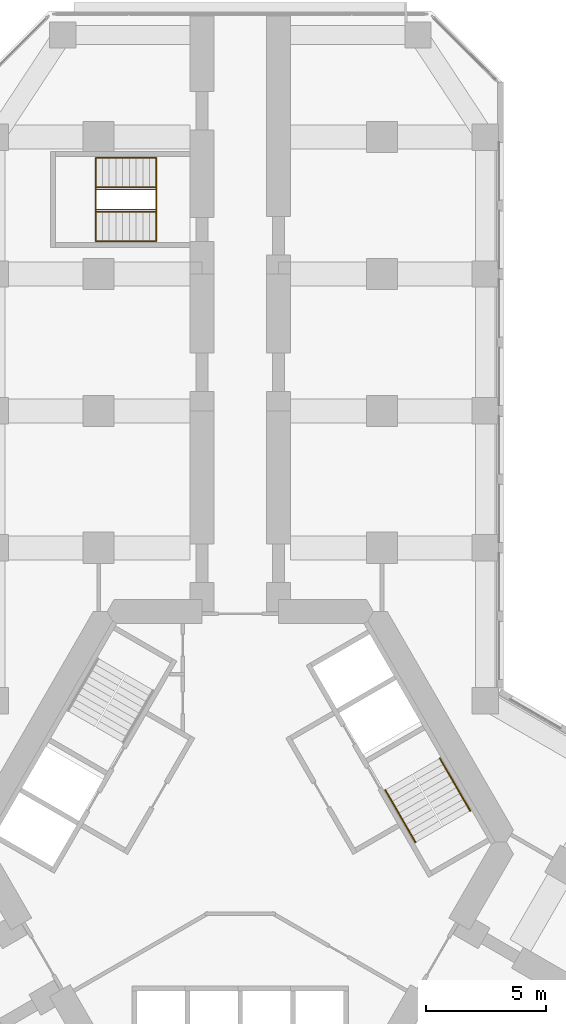
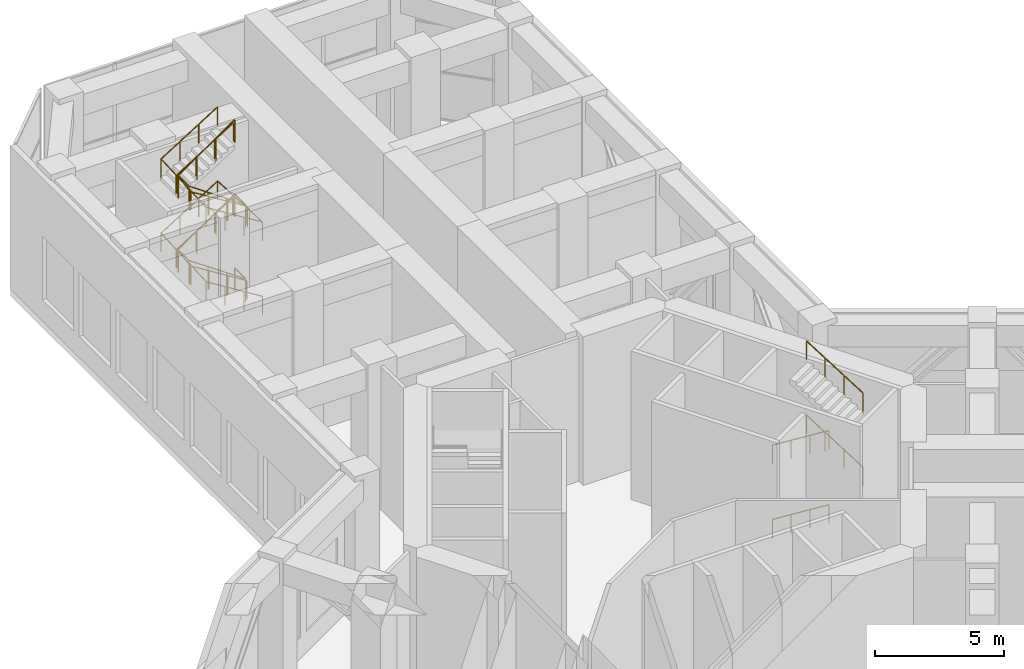
# One storey, part 17 of 17: 7 railings.
"""IFC4 building model written with IfcOpenShell, lengths in metres."""

from ifc_helpers import new_model, si_unit, direction, frame, origin, origin_2d, place, context, subcontext, project, spatial, circle, extrude, material, type_object, element, save


model = new_model("IFC4")

# Units and contexts
model_context = context("Model", 3, precision=1e-05, world=origin(), true_north=direction((0.0, 1.0)))
body_context = subcontext(model_context, "Body", "Model", "MODEL_VIEW")
ifc_project = project(units=[si_unit("LENGTHUNIT", "METRE"), si_unit("AREAUNIT", "SQUARE_METRE"), si_unit("VOLUMEUNIT", "CUBIC_METRE"), si_unit("PLANEANGLEUNIT", "RADIAN"), si_unit("MASSUNIT", "GRAM", prefix="KILO")], contexts=[model_context])

# Site, building, storey
site_placement = place(None, origin())
site = spatial("IfcSite", under=ifc_project, at=site_placement, CompositionType="ELEMENT")
building_placement = place(site_placement, origin())
building = spatial("IfcBuilding", under=site, at=building_placement, Name="Kosmar Iwan School Tower", CompositionType="ELEMENT")
storey_placement = place(building_placement, frame((0.0, 0.0, 32.39990234375)))
storey = spatial("IfcBuildingStorey", under=building, at=storey_placement, Name="L07", CompositionType="ELEMENT", Elevation=32.39990234375)

# Railings
ifc_material_1 = material(Name="Black steel", Category="steel")
railing_type_1 = type_object("IfcRailingType", Name="Stair handrail 900", PredefinedType="HANDRAIL", material=ifc_material_1)
railing_1_placement = place(storey_placement, frame((6.03466796875, 2.167724609375, 0.175048828125)))
element("IfcRailing", 1, at=railing_1_placement, inside=storey, type_object=railing_type_1, Name="Handrail ST1 flight 1", PredefinedType="HANDRAIL", context=body_context, shape_type="SweptSolid", body=[
    extrude(circle(Radius=0.02392578125, at=origin_2d()), frame((0.0, 0.0, 0.8759765625), z_axis=(0.42400668935, -0.73439174503, 0.529987822708), x_axis=(0.866022637375, 0.500004791531, 0.0)), (0.0, 0.0, 1.0), 2.9716796875),
    extrude(circle(Radius=0.02099609375, at=origin_2d()), origin(), (0.0, 0.0, 1.0), 0.851806640625),
    extrude(circle(Radius=0.02099609375, at=origin_2d()), frame((0.419921875, -0.7275390625, 0.52490234375)), (0.0, 0.0, 1.0), 0.851806640625),
    extrude(circle(Radius=0.02099609375, at=origin_2d()), frame((0.840087890625, -1.454833984375, 1.050048828125)), (0.0, 0.0, 1.0), 0.851806640625),
    extrude(circle(Radius=0.02099609375, at=origin_2d()), frame((1.260009765625, -2.182373046875, 1.574951171875)), (0.0, 0.0, 1.0), 0.851806640625),
])
railing_2_placement = place(storey_placement, frame((9.572265625, 1.30029296875, 1.925048828125)))
element("IfcRailing", 2, at=railing_2_placement, inside=storey, type_object=railing_type_1, Name="Handrail ST1 flight 2", PredefinedType="HANDRAIL", context=body_context, shape_type="SweptSolid", body=[
    extrude(circle(Radius=0.02392578125, at=origin_2d()), frame((0.0, 0.0, 0.8759765625), z_axis=(-0.42400668935, 0.73439174503, 0.529987822708), x_axis=(-0.866022637375, -0.500004791531, 0.0)), (0.0, 0.0, 1.0), 2.9716796875),
    extrude(circle(Radius=0.02099609375, at=origin_2d()), origin(), (0.0, 0.0, 1.0), 0.851806640625),
    extrude(circle(Radius=0.02099609375, at=origin_2d()), frame((-0.419921875, 0.7275390625, 0.52490234375)), (0.0, 0.0, 1.0), 0.851806640625),
    extrude(circle(Radius=0.02099609375, at=origin_2d()), frame((-0.840087890625, 1.454833984375, 1.050048828125)), (0.0, 0.0, 1.0), 0.851806640625),
    extrude(circle(Radius=0.02099609375, at=origin_2d()), frame((-1.260009765625, 2.182373046875, 1.574951171875)), (0.0, 0.0, 1.0), 0.851806640625),
])
railing_3_placement = place(storey_placement, frame((6.03466796875, 2.167724609375, 3.675048828125)))
element("IfcRailing", 3, at=railing_3_placement, inside=storey, type_object=railing_type_1, Name="Handrail ST1 flight 3", PredefinedType="HANDRAIL", context=body_context, shape_type="SweptSolid", body=[
    extrude(circle(Radius=0.02392578125, at=origin_2d()), frame((0.0, 0.0, 0.8759765625), z_axis=(0.42400668935, -0.73439174503, 0.529987822708), x_axis=(0.866022637375, 0.500004791531, 0.0)), (0.0, 0.0, 1.0), 2.9716796875),
    extrude(circle(Radius=0.02099609375, at=origin_2d()), origin(), (0.0, 0.0, 1.0), 0.851806640625),
    extrude(circle(Radius=0.02099609375, at=origin_2d()), frame((0.419921875, -0.7275390625, 0.52490234375)), (0.0, 0.0, 1.0), 0.851806640625),
    extrude(circle(Radius=0.02099609375, at=origin_2d()), frame((0.840087890625, -1.454833984375, 1.050048828125)), (0.0, 0.0, 1.0), 0.851806640625),
    extrude(circle(Radius=0.02099609375, at=origin_2d()), frame((1.260009765625, -2.182373046875, 1.574951171875)), (0.0, 0.0, 1.0), 0.851806640625),
])
railing_4_placement = place(storey_placement, frame((9.572265625, 1.30029296875, 5.425048828125)))
element("IfcRailing", 4, at=railing_4_placement, inside=storey, type_object=railing_type_1, Name="Handrail ST1 flight 4", PredefinedType="HANDRAIL", context=body_context, shape_type="SweptSolid", body=[
    extrude(circle(Radius=0.02392578125, at=origin_2d()), frame((0.0, 0.0, 0.8759765625), z_axis=(-0.42400668935, 0.73439174503, 0.529987822708), x_axis=(-0.866022637375, -0.500004791531, 0.0)), (0.0, 0.0, 1.0), 2.9716796875),
    extrude(circle(Radius=0.02099609375, at=origin_2d()), origin(), (0.0, 0.0, 1.0), 0.851806640625),
    extrude(circle(Radius=0.02099609375, at=origin_2d()), frame((-0.419921875, 0.7275390625, 0.52490234375)), (0.0, 0.0, 1.0), 0.851806640625),
    extrude(circle(Radius=0.02099609375, at=origin_2d()), frame((-0.840087890625, 1.454833984375, 1.050048828125)), (0.0, 0.0, 1.0), 0.851806640625),
    extrude(circle(Radius=0.02099609375, at=origin_2d()), frame((-1.260009765625, 2.182373046875, 1.574951171875)), (0.0, 0.0, 1.0), 0.851806640625),
])
railing_5_placement = place(storey_placement, frame((-3.5, 25.010009765625, 0.175048828125)))
element("IfcRailing", 5, at=railing_5_placement, inside=storey, type_object=railing_type_1, Name="Handrail stair WS1 L07 wall side", PredefinedType="HANDRAIL", context=body_context, shape_type="SweptSolid", body=[
    extrude(circle(Radius=0.02392578125, at=origin_2d()), frame((0.0, 0.0, 0.8759765625), z_axis=(-0.848007534815, 0.0, 0.529984170421), x_axis=(0.0, -1.0, 0.0)), (0.0, 0.0, 1.0), 2.9716796875),
    extrude(circle(Radius=0.02392578125, at=origin_2d()), frame((-2.52001953125, 0.0, 2.45068359375), z_axis=(0.0, 0.998737266788, 0.050238152118), x_axis=(-1.0, 0.0, 0.0)), (0.0, 0.0, 1.0), 3.484375),
    extrude(circle(Radius=0.02392578125, at=origin_2d()), frame((-2.52001953125, 3.47998046875, 2.6259765625), z_axis=(0.848007534815, 0.0, 0.529984170421), x_axis=(0.0, 1.0, 0.0)), (0.0, 0.0, 1.0), 2.9716796875),
    extrude(circle(Radius=0.02392578125, at=origin_2d()), frame((0.0, 3.47998046875, 4.20068359375), z_axis=(0.0, -0.998737266788, 0.050238152118), x_axis=(1.0, 0.0, 0.0)), (0.0, 0.0, 1.0), 3.484375),
    extrude(circle(Radius=0.02392578125, at=origin_2d()), frame((0.0, 0.0, 4.3759765625), z_axis=(-0.848007534815, 0.0, 0.529984170421), x_axis=(0.0, -1.0, 0.0)), (0.0, 0.0, 1.0), 2.9716796875),
    extrude(circle(Radius=0.02392578125, at=origin_2d()), frame((-2.52001953125, 0.0, 5.95068359375), z_axis=(0.0, 0.998737266788, 0.050238152118), x_axis=(-1.0, 0.0, 0.0)), (0.0, 0.0, 1.0), 3.484375),
    extrude(circle(Radius=0.02392578125, at=origin_2d()), frame((-2.52001953125, 3.47998046875, 6.1259765625), z_axis=(0.848007534815, 0.0, 0.529984170421), x_axis=(0.0, 1.0, 0.0)), (0.0, 0.0, 1.0), 2.9716796875),
    extrude(circle(Radius=0.02099609375, at=origin_2d()), origin(), (0.0, 0.0, 1.0), 0.851806640625),
    extrude(circle(Radius=0.02099609375, at=origin_2d()), frame((-0.840087890625, 0.0, 0.52490234375)), (0.0, 0.0, 1.0), 0.851806640625),
    extrude(circle(Radius=0.02099609375, at=origin_2d()), frame((-1.679931640625, 0.0, 1.050048828125)), (0.0, 0.0, 1.0), 0.851806640625),
    extrude(circle(Radius=0.02099609375, at=origin_2d()), frame((-2.52001953125, 0.0, 1.574951171875)), (0.0, 0.0, 1.0), 0.851806640625),
    extrude(circle(Radius=0.02099609375, at=origin_2d()), frame((-2.52001953125, 1.159912109375, 1.63330078125)), (0.0, 0.0, 1.0), 0.851806640625),
    extrude(circle(Radius=0.02099609375, at=origin_2d()), frame((-2.52001953125, 2.320068359375, 1.691650390625)), (0.0, 0.0, 1.0), 0.851806640625),
    extrude(circle(Radius=0.02099609375, at=origin_2d()), frame((-2.52001953125, 3.47998046875, 1.75)), (0.0, 0.0, 1.0), 0.851806640625),
    extrude(circle(Radius=0.02099609375, at=origin_2d()), frame((-1.679931640625, 3.47998046875, 2.27490234375)), (0.0, 0.0, 1.0), 0.851806640625),
    extrude(circle(Radius=0.02099609375, at=origin_2d()), frame((-0.840087890625, 3.47998046875, 2.800048828125)), (0.0, 0.0, 1.0), 0.851806640625),
    extrude(circle(Radius=0.02099609375, at=origin_2d()), frame((0.0, 3.47998046875, 3.324951171875)), (0.0, 0.0, 1.0), 0.851806640625),
    extrude(circle(Radius=0.02099609375, at=origin_2d()), frame((0.0, 2.320068359375, 3.38330078125)), (0.0, 0.0, 1.0), 0.851806640625),
    extrude(circle(Radius=0.02099609375, at=origin_2d()), frame((0.0, 1.159912109375, 3.441650390625)), (0.0, 0.0, 1.0), 0.851806640625),
    extrude(circle(Radius=0.02099609375, at=origin_2d()), frame((0.0, 0.0, 3.5)), (0.0, 0.0, 1.0), 0.851806640625),
    extrude(circle(Radius=0.02099609375, at=origin_2d()), frame((-0.840087890625, 0.0, 4.02490234375)), (0.0, 0.0, 1.0), 0.851806640625),
    extrude(circle(Radius=0.02099609375, at=origin_2d()), frame((-1.679931640625, 0.0, 4.550048828125)), (0.0, 0.0, 1.0), 0.851806640625),
    extrude(circle(Radius=0.02099609375, at=origin_2d()), frame((-2.52001953125, 0.0, 5.074951171875)), (0.0, 0.0, 1.0), 0.851806640625),
    extrude(circle(Radius=0.02099609375, at=origin_2d()), frame((-2.52001953125, 1.159912109375, 5.13330078125)), (0.0, 0.0, 1.0), 0.851806640625),
    extrude(circle(Radius=0.02099609375, at=origin_2d()), frame((-2.52001953125, 2.320068359375, 5.191650390625)), (0.0, 0.0, 1.0), 0.851806640625),
    extrude(circle(Radius=0.02099609375, at=origin_2d()), frame((-2.52001953125, 3.47998046875, 5.25)), (0.0, 0.0, 1.0), 0.851806640625),
    extrude(circle(Radius=0.02099609375, at=origin_2d()), frame((-1.679931640625, 3.47998046875, 5.77490234375)), (0.0, 0.0, 1.0), 0.851806640625),
    extrude(circle(Radius=0.02099609375, at=origin_2d()), frame((-0.840087890625, 3.47998046875, 6.300048828125)), (0.0, 0.0, 1.0), 0.851806640625),
    extrude(circle(Radius=0.02099609375, at=origin_2d()), frame((0.0, 3.47998046875, 6.824951171875)), (0.0, 0.0, 1.0), 0.851806640625),
])
railing_6_placement = place(storey_placement, frame((-3.5, 26.239990234375, 0.175048828125)))
element("IfcRailing", 6, at=railing_6_placement, inside=storey, type_object=railing_type_1, Name="Handrail stair WS1 L07 well side", PredefinedType="HANDRAIL", context=body_context, shape_type="SweptSolid", body=[
    extrude(circle(Radius=0.02392578125, at=origin_2d()), frame((0.0, 0.0, 0.8759765625), z_axis=(-0.848007534815, 0.0, 0.529984170421), x_axis=(0.0, -1.0, 0.0)), (0.0, 0.0, 1.0), 2.9716796875),
    extrude(circle(Radius=0.02392578125, at=origin_2d()), frame((-2.52001953125, 0.0, 2.45068359375), z_axis=(0.0, 0.985591932958, 0.169140597398), x_axis=(-1.0, 0.0, 0.0)), (0.0, 0.0, 1.0), 1.034912109375),
    extrude(circle(Radius=0.02392578125, at=origin_2d()), frame((-2.52001953125, 1.02001953125, 2.6259765625), z_axis=(0.848007534815, 0.0, 0.529984170421), x_axis=(0.0, 1.0, 0.0)), (0.0, 0.0, 1.0), 2.9716796875),
    extrude(circle(Radius=0.02392578125, at=origin_2d()), frame((0.0, 1.02001953125, 4.20068359375), z_axis=(0.0, -0.985591932958, 0.169140597398), x_axis=(1.0, 0.0, 0.0)), (0.0, 0.0, 1.0), 1.034912109375),
    extrude(circle(Radius=0.02392578125, at=origin_2d()), frame((0.0, 0.0, 4.3759765625), z_axis=(-0.848007534815, 0.0, 0.529984170421), x_axis=(0.0, -1.0, 0.0)), (0.0, 0.0, 1.0), 2.9716796875),
    extrude(circle(Radius=0.02392578125, at=origin_2d()), frame((-2.52001953125, 0.0, 5.95068359375), z_axis=(0.0, 0.985591932958, 0.169140597398), x_axis=(-1.0, 0.0, 0.0)), (0.0, 0.0, 1.0), 1.034912109375),
    extrude(circle(Radius=0.02392578125, at=origin_2d()), frame((-2.52001953125, 1.02001953125, 6.1259765625), z_axis=(0.848007534815, 0.0, 0.529984170421), x_axis=(0.0, 1.0, 0.0)), (0.0, 0.0, 1.0), 2.9716796875),
    extrude(circle(Radius=0.02099609375, at=origin_2d()), origin(), (0.0, 0.0, 1.0), 0.851806640625),
    extrude(circle(Radius=0.02099609375, at=origin_2d()), frame((-0.840087890625, 0.0, 0.52490234375)), (0.0, 0.0, 1.0), 0.851806640625),
    extrude(circle(Radius=0.02099609375, at=origin_2d()), frame((-1.679931640625, 0.0, 1.050048828125)), (0.0, 0.0, 1.0), 0.851806640625),
    extrude(circle(Radius=0.02099609375, at=origin_2d()), frame((-2.52001953125, 0.0, 1.574951171875)), (0.0, 0.0, 1.0), 0.851806640625),
    extrude(circle(Radius=0.02099609375, at=origin_2d()), frame((-2.52001953125, 1.02001953125, 1.75)), (0.0, 0.0, 1.0), 0.851806640625),
    extrude(circle(Radius=0.02099609375, at=origin_2d()), frame((-1.679931640625, 1.02001953125, 2.27490234375)), (0.0, 0.0, 1.0), 0.851806640625),
    extrude(circle(Radius=0.02099609375, at=origin_2d()), frame((-0.840087890625, 1.02001953125, 2.800048828125)), (0.0, 0.0, 1.0), 0.851806640625),
    extrude(circle(Radius=0.02099609375, at=origin_2d()), frame((0.0, 1.02001953125, 3.324951171875)), (0.0, 0.0, 1.0), 0.851806640625),
    extrude(circle(Radius=0.02099609375, at=origin_2d()), frame((0.0, 0.0, 3.5)), (0.0, 0.0, 1.0), 0.851806640625),
    extrude(circle(Radius=0.02099609375, at=origin_2d()), frame((-0.840087890625, 0.0, 4.02490234375)), (0.0, 0.0, 1.0), 0.851806640625),
    extrude(circle(Radius=0.02099609375, at=origin_2d()), frame((-1.679931640625, 0.0, 4.550048828125)), (0.0, 0.0, 1.0), 0.851806640625),
    extrude(circle(Radius=0.02099609375, at=origin_2d()), frame((-2.52001953125, 0.0, 5.074951171875)), (0.0, 0.0, 1.0), 0.851806640625),
    extrude(circle(Radius=0.02099609375, at=origin_2d()), frame((-2.52001953125, 1.02001953125, 5.25)), (0.0, 0.0, 1.0), 0.851806640625),
    extrude(circle(Radius=0.02099609375, at=origin_2d()), frame((-1.679931640625, 1.02001953125, 5.77490234375)), (0.0, 0.0, 1.0), 0.851806640625),
    extrude(circle(Radius=0.02099609375, at=origin_2d()), frame((-0.840087890625, 1.02001953125, 6.300048828125)), (0.0, 0.0, 1.0), 0.851806640625),
    extrude(circle(Radius=0.02099609375, at=origin_2d()), frame((0.0, 1.02001953125, 6.824951171875)), (0.0, 0.0, 1.0), 0.851806640625),
])
ifc_material_2 = material(Name="Black steel", Category="steel")
railing_type_2 = type_object("IfcRailingType", Name="Stair well guard 1100", PredefinedType="GUARDRAIL", material=ifc_material_2)
railing_7_placement = place(storey_placement, frame((-3.5, 27.169921875, 0.0)))
element("IfcRailing", 7, at=railing_7_placement, inside=storey, type_object=railing_type_2, Name="Stair WS1 L07 well guard", PredefinedType="GUARDRAIL", context=body_context, shape_type="SweptSolid", body=[
    extrude(circle(Radius=0.02392578125, at=origin_2d()), frame((0.0, 0.0, 1.076171875), z_axis=(0.0, -1.0, 0.0), x_axis=(1.0, 0.0, 0.0)), (0.0, 0.0, 1.0), 0.83984375),
    extrude(circle(Radius=0.02392578125, at=origin_2d()), frame((0.0, -0.83984375, 1.076171875), z_axis=(-0.821372036852, 0.0, 0.570392826987), x_axis=(0.0, -1.0, 0.0)), (0.0, 0.0, 1.0), 3.068115234375),
    extrude(circle(Radius=0.02392578125, at=origin_2d()), frame((-2.52001953125, -0.83984375, 2.826171875), z_axis=(0.0, 1.0, 0.0), x_axis=(-1.0, 0.0, 0.0)), (0.0, 0.0, 1.0), 0.83984375),
    extrude(circle(Radius=0.02392578125, at=origin_2d()), frame((-2.52001953125, 0.0, 2.826171875), z_axis=(0.821372036852, 0.0, 0.570392826987), x_axis=(0.0, 1.0, 0.0)), (0.0, 0.0, 1.0), 3.068115234375),
    extrude(circle(Radius=0.02392578125, at=origin_2d()), frame((0.0, 0.0, 4.576171875), z_axis=(0.0, -1.0, 0.0), x_axis=(1.0, 0.0, 0.0)), (0.0, 0.0, 1.0), 0.83984375),
    extrude(circle(Radius=0.02392578125, at=origin_2d()), frame((0.0, -0.83984375, 4.576171875), z_axis=(-0.821372036852, 0.0, 0.570392826987), x_axis=(0.0, -1.0, 0.0)), (0.0, 0.0, 1.0), 3.068115234375),
    extrude(circle(Radius=0.02392578125, at=origin_2d()), frame((-2.52001953125, -0.83984375, 6.326171875), z_axis=(0.0, 1.0, 0.0), x_axis=(-1.0, 0.0, 0.0)), (0.0, 0.0, 1.0), 0.83984375),
    extrude(circle(Radius=0.02392578125, at=origin_2d()), frame((-2.52001953125, 0.0, 6.326171875), z_axis=(0.821372036852, 0.0, 0.570392826987), x_axis=(0.0, 1.0, 0.0)), (0.0, 0.0, 1.0), 3.068115234375),
    extrude(circle(Radius=0.02099609375, at=origin_2d()), origin(), (0.0, 0.0, 1.0), 1.052001953125),
    extrude(circle(Radius=0.02099609375, at=origin_2d()), frame((0.0, -0.83984375, 0.0)), (0.0, 0.0, 1.0), 1.052001953125),
    extrude(circle(Radius=0.02099609375, at=origin_2d()), frame((-0.840087890625, -0.83984375, 0.583251953125)), (0.0, 0.0, 1.0), 1.052001953125),
    extrude(circle(Radius=0.02099609375, at=origin_2d()), frame((-1.679931640625, -0.83984375, 1.166748046875)), (0.0, 0.0, 1.0), 1.052001953125),
    extrude(circle(Radius=0.02099609375, at=origin_2d()), frame((-2.52001953125, -0.83984375, 1.75)), (0.0, 0.0, 1.0), 1.052001953125),
    extrude(circle(Radius=0.02099609375, at=origin_2d()), frame((-2.52001953125, 0.0, 1.75)), (0.0, 0.0, 1.0), 1.052001953125),
    extrude(circle(Radius=0.02099609375, at=origin_2d()), frame((-1.679931640625, 0.0, 2.333251953125)), (0.0, 0.0, 1.0), 1.052001953125),
    extrude(circle(Radius=0.02099609375, at=origin_2d()), frame((-0.840087890625, 0.0, 2.916748046875)), (0.0, 0.0, 1.0), 1.052001953125),
    extrude(circle(Radius=0.02099609375, at=origin_2d()), frame((0.0, 0.0, 3.5)), (0.0, 0.0, 1.0), 1.052001953125),
    extrude(circle(Radius=0.02099609375, at=origin_2d()), frame((0.0, -0.83984375, 3.5)), (0.0, 0.0, 1.0), 1.052001953125),
    extrude(circle(Radius=0.02099609375, at=origin_2d()), frame((-0.840087890625, -0.83984375, 4.083251953125)), (0.0, 0.0, 1.0), 1.052001953125),
    extrude(circle(Radius=0.02099609375, at=origin_2d()), frame((-1.679931640625, -0.83984375, 4.666748046875)), (0.0, 0.0, 1.0), 1.052001953125),
    extrude(circle(Radius=0.02099609375, at=origin_2d()), frame((-2.52001953125, -0.83984375, 5.25)), (0.0, 0.0, 1.0), 1.052001953125),
    extrude(circle(Radius=0.02099609375, at=origin_2d()), frame((-2.52001953125, 0.0, 5.25)), (0.0, 0.0, 1.0), 1.052001953125),
    extrude(circle(Radius=0.02099609375, at=origin_2d()), frame((-1.679931640625, 0.0, 5.833251953125)), (0.0, 0.0, 1.0), 1.052001953125),
    extrude(circle(Radius=0.02099609375, at=origin_2d()), frame((-0.840087890625, 0.0, 6.416748046875)), (0.0, 0.0, 1.0), 1.052001953125),
    extrude(circle(Radius=0.02099609375, at=origin_2d()), frame((0.0, 0.0, 7.0)), (0.0, 0.0, 1.0), 1.052001953125),
])

save(model, "model.ifc")
